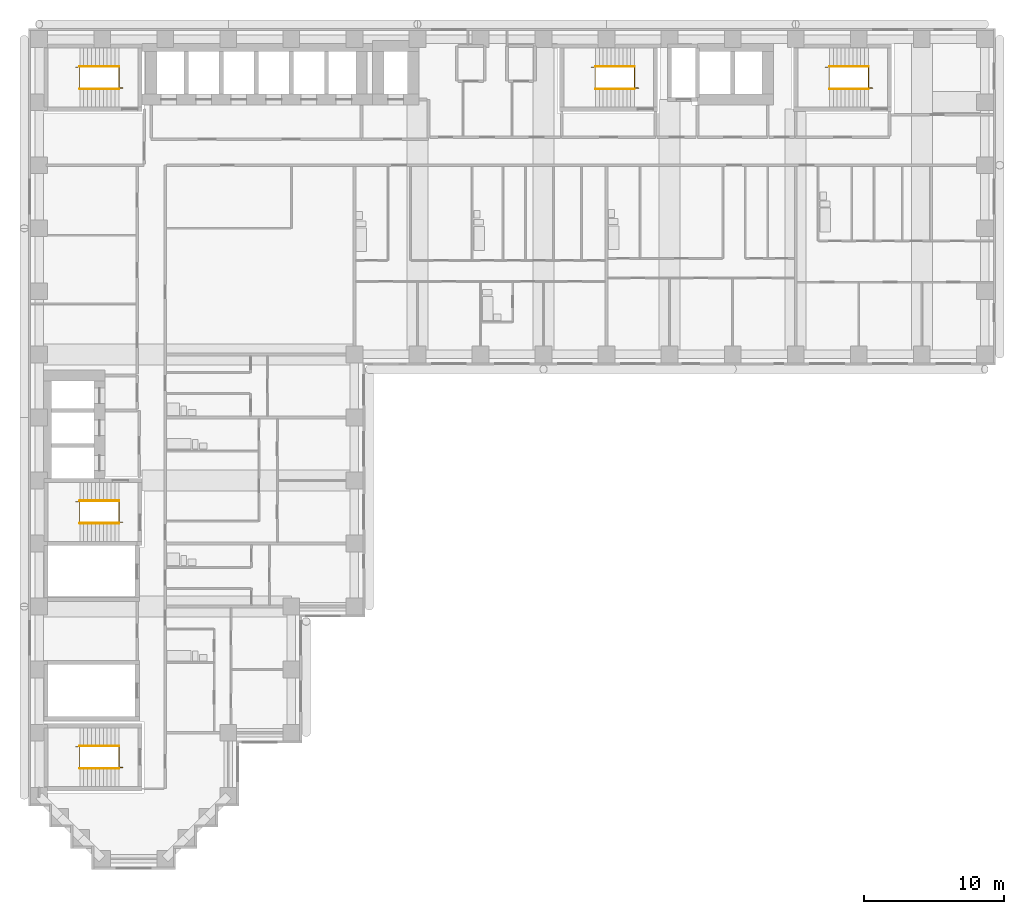
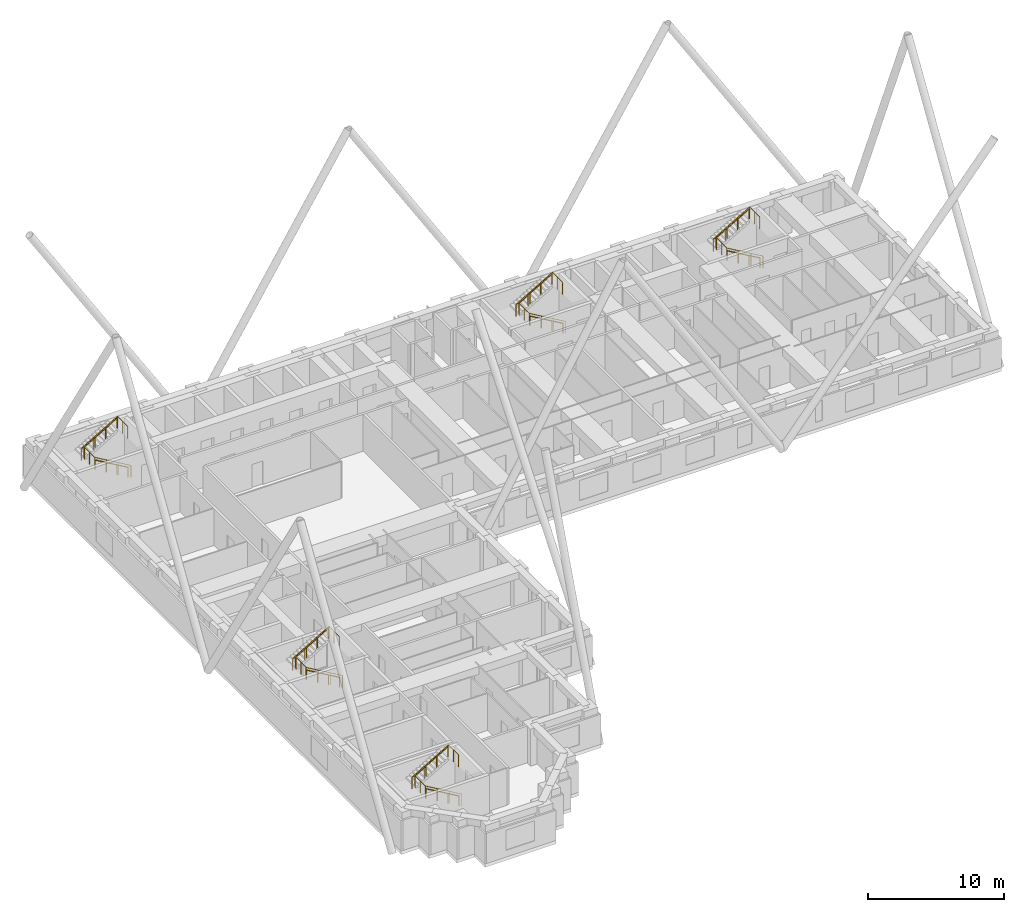
# One storey, part 12 of 13: 15 railings.
"""IFC4 building model written with IfcOpenShell, lengths in metres."""

from ifc_helpers import new_model, si_unit, direction, frame, origin, origin_2d, place, context, subcontext, project, spatial, circle, extrude, material, type_object, element, save


model = new_model("IFC4")

# Units and contexts
model_context = context("Model", 3, precision=1e-05, world=origin(), true_north=direction((0.0, 1.0)))
body_context = subcontext(model_context, "Body", "Model", "MODEL_VIEW")
ifc_project = project(units=[si_unit("LENGTHUNIT", "METRE"), si_unit("AREAUNIT", "SQUARE_METRE"), si_unit("VOLUMEUNIT", "CUBIC_METRE"), si_unit("PLANEANGLEUNIT", "RADIAN"), si_unit("MASSUNIT", "GRAM", prefix="KILO")], contexts=[model_context])

# Site, building, storey
site_placement = place(None, origin())
site = spatial("IfcSite", under=ifc_project, at=site_placement, CompositionType="ELEMENT")
building_placement = place(site_placement, origin())
building = spatial("IfcBuilding", under=site, at=building_placement, Name="Firuza Court", CompositionType="ELEMENT")
storey_placement = place(building_placement, frame((0.0, 0.0, 50.60009765625)))
storey = spatial("IfcBuildingStorey", under=building, at=storey_placement, Name="L11", CompositionType="ELEMENT", Elevation=50.60009765625)

# Railings
ifc_material_1 = material(Name="Steel S355", Category="steel")
railing_type_1 = type_object("IfcRailingType", Name="Handrail 900", PredefinedType="HANDRAIL", material=ifc_material_1)
railing_1_placement = place(storey_placement, frame((42.5, 54.949951171875, 0.16357421875)))
element("IfcRailing", 1, at=railing_1_placement, inside=storey, type_object=railing_type_1, Name="Handrail S1 flight 1", PredefinedType="HANDRAIL", context=body_context, shape_type="SweptSolid", body=[
    extrude(circle(Radius=0.02490234375, at=origin_2d()), frame((0.0, 0.0, 0.875), z_axis=(-0.863393664356, 0.0, 0.504530851732), x_axis=(0.0, -1.0, 0.0)), (0.0, 0.0, 1.0), 3.2431640625),
    extrude(circle(Radius=0.02001953125, at=origin_2d()), origin(), (0.0, 0.0, 1.0), 0.849853515625),
    extrude(circle(Radius=0.02001953125, at=origin_2d()), frame((-0.933349609375, 0.0, 0.54541015625)), (0.0, 0.0, 1.0), 0.849853515625),
    extrude(circle(Radius=0.02001953125, at=origin_2d()), frame((-1.86669921875, 0.0, 1.0908203125)), (0.0, 0.0, 1.0), 0.849853515625),
    extrude(circle(Radius=0.02001953125, at=origin_2d()), frame((-2.800048828125, 0.0, 1.63623046875)), (0.0, 0.0, 1.0), 0.849853515625),
])
railing_2_placement = place(storey_placement, frame((39.699951171875, 56.550048828125, 1.963623046875)))
element("IfcRailing", 2, at=railing_2_placement, inside=storey, type_object=railing_type_1, Name="Handrail S1 flight 2", PredefinedType="HANDRAIL", context=body_context, shape_type="SweptSolid", body=[
    extrude(circle(Radius=0.02490234375, at=origin_2d()), frame((0.0, 0.0, 0.875), z_axis=(0.863393664356, 0.0, 0.504530851732), x_axis=(0.0, 1.0, 0.0)), (0.0, 0.0, 1.0), 3.2431640625),
    extrude(circle(Radius=0.02001953125, at=origin_2d()), origin(), (0.0, 0.0, 1.0), 0.849853515625),
    extrude(circle(Radius=0.02001953125, at=origin_2d()), frame((0.933349609375, 0.0, 0.54541015625)), (0.0, 0.0, 1.0), 0.849853515625),
    extrude(circle(Radius=0.02001953125, at=origin_2d()), frame((1.86669921875, 0.0, 1.0908203125)), (0.0, 0.0, 1.0), 0.849853515625),
    extrude(circle(Radius=0.02001953125, at=origin_2d()), frame((2.800048828125, 0.0, 1.63623046875)), (0.0, 0.0, 1.0), 0.849853515625),
])
railing_3_placement = place(storey_placement, frame((5.699951171875, 23.949951171875, 0.16357421875)))
element("IfcRailing", 3, at=railing_3_placement, inside=storey, type_object=railing_type_1, Name="Handrail S2 flight 1", PredefinedType="HANDRAIL", context=body_context, shape_type="SweptSolid", body=[
    extrude(circle(Radius=0.02490234375, at=origin_2d()), frame((0.0, 0.0, 0.875), z_axis=(-0.863393664356, 0.0, 0.504530851732), x_axis=(0.0, -1.0, 0.0)), (0.0, 0.0, 1.0), 3.2431640625),
    extrude(circle(Radius=0.02001953125, at=origin_2d()), origin(), (0.0, 0.0, 1.0), 0.849853515625),
    extrude(circle(Radius=0.02001953125, at=origin_2d()), frame((-0.933349609375, 0.0, 0.54541015625)), (0.0, 0.0, 1.0), 0.849853515625),
    extrude(circle(Radius=0.02001953125, at=origin_2d()), frame((-1.86669921875, 0.0, 1.0908203125)), (0.0, 0.0, 1.0), 0.849853515625),
    extrude(circle(Radius=0.02001953125, at=origin_2d()), frame((-2.800048828125, 0.0, 1.63623046875)), (0.0, 0.0, 1.0), 0.849853515625),
])
railing_4_placement = place(storey_placement, frame((2.89990234375, 25.550048828125, 1.963623046875)))
element("IfcRailing", 4, at=railing_4_placement, inside=storey, type_object=railing_type_1, Name="Handrail S2 flight 2", PredefinedType="HANDRAIL", context=body_context, shape_type="SweptSolid", body=[
    extrude(circle(Radius=0.02490234375, at=origin_2d()), frame((0.0, 0.0, 0.875), z_axis=(0.863393664356, 0.0, 0.504530851732), x_axis=(0.0, 1.0, 0.0)), (0.0, 0.0, 1.0), 3.2431640625),
    extrude(circle(Radius=0.02001953125, at=origin_2d()), origin(), (0.0, 0.0, 1.0), 0.849853515625),
    extrude(circle(Radius=0.02001953125, at=origin_2d()), frame((0.933349609375, 0.0, 0.54541015625)), (0.0, 0.0, 1.0), 0.849853515625),
    extrude(circle(Radius=0.02001953125, at=origin_2d()), frame((1.86669921875, 0.0, 1.0908203125)), (0.0, 0.0, 1.0), 0.849853515625),
    extrude(circle(Radius=0.02001953125, at=origin_2d()), frame((2.800048828125, 0.0, 1.63623046875)), (0.0, 0.0, 1.0), 0.849853515625),
])
railing_5_placement = place(storey_placement, frame((5.699951171875, 54.949951171875, 0.16357421875)))
element("IfcRailing", 5, at=railing_5_placement, inside=storey, type_object=railing_type_1, Name="Handrail S3 flight 1", PredefinedType="HANDRAIL", context=body_context, shape_type="SweptSolid", body=[
    extrude(circle(Radius=0.02490234375, at=origin_2d()), frame((0.0, 0.0, 0.875), z_axis=(-0.863393664356, 0.0, 0.504530851732), x_axis=(0.0, -1.0, 0.0)), (0.0, 0.0, 1.0), 3.2431640625),
    extrude(circle(Radius=0.02001953125, at=origin_2d()), origin(), (0.0, 0.0, 1.0), 0.849853515625),
    extrude(circle(Radius=0.02001953125, at=origin_2d()), frame((-0.933349609375, 0.0, 0.54541015625)), (0.0, 0.0, 1.0), 0.849853515625),
    extrude(circle(Radius=0.02001953125, at=origin_2d()), frame((-1.86669921875, 0.0, 1.0908203125)), (0.0, 0.0, 1.0), 0.849853515625),
    extrude(circle(Radius=0.02001953125, at=origin_2d()), frame((-2.800048828125, 0.0, 1.63623046875)), (0.0, 0.0, 1.0), 0.849853515625),
])
railing_6_placement = place(storey_placement, frame((2.89990234375, 56.550048828125, 1.963623046875)))
element("IfcRailing", 6, at=railing_6_placement, inside=storey, type_object=railing_type_1, Name="Handrail S3 flight 2", PredefinedType="HANDRAIL", context=body_context, shape_type="SweptSolid", body=[
    extrude(circle(Radius=0.02490234375, at=origin_2d()), frame((0.0, 0.0, 0.875), z_axis=(0.863393664356, 0.0, 0.504530851732), x_axis=(0.0, 1.0, 0.0)), (0.0, 0.0, 1.0), 3.2431640625),
    extrude(circle(Radius=0.02001953125, at=origin_2d()), origin(), (0.0, 0.0, 1.0), 0.849853515625),
    extrude(circle(Radius=0.02001953125, at=origin_2d()), frame((0.933349609375, 0.0, 0.54541015625)), (0.0, 0.0, 1.0), 0.849853515625),
    extrude(circle(Radius=0.02001953125, at=origin_2d()), frame((1.86669921875, 0.0, 1.0908203125)), (0.0, 0.0, 1.0), 0.849853515625),
    extrude(circle(Radius=0.02001953125, at=origin_2d()), frame((2.800048828125, 0.0, 1.63623046875)), (0.0, 0.0, 1.0), 0.849853515625),
])
railing_7_placement = place(storey_placement, frame((59.199951171875, 54.949951171875, 0.16357421875)))
element("IfcRailing", 7, at=railing_7_placement, inside=storey, type_object=railing_type_1, Name="Handrail S4 flight 1", PredefinedType="HANDRAIL", context=body_context, shape_type="SweptSolid", body=[
    extrude(circle(Radius=0.02490234375, at=origin_2d()), frame((0.0, 0.0, 0.875), z_axis=(-0.863393664356, 0.0, 0.504530851732), x_axis=(0.0, -1.0, 0.0)), (0.0, 0.0, 1.0), 3.2431640625),
    extrude(circle(Radius=0.02001953125, at=origin_2d()), origin(), (0.0, 0.0, 1.0), 0.849853515625),
    extrude(circle(Radius=0.02001953125, at=origin_2d()), frame((-0.933349609375, 0.0, 0.54541015625)), (0.0, 0.0, 1.0), 0.849853515625),
    extrude(circle(Radius=0.02001953125, at=origin_2d()), frame((-1.86669921875, 0.0, 1.0908203125)), (0.0, 0.0, 1.0), 0.849853515625),
    extrude(circle(Radius=0.02001953125, at=origin_2d()), frame((-2.800048828125, 0.0, 1.63623046875)), (0.0, 0.0, 1.0), 0.849853515625),
])
railing_8_placement = place(storey_placement, frame((56.39990234375, 56.550048828125, 1.963623046875)))
element("IfcRailing", 8, at=railing_8_placement, inside=storey, type_object=railing_type_1, Name="Handrail S4 flight 2", PredefinedType="HANDRAIL", context=body_context, shape_type="SweptSolid", body=[
    extrude(circle(Radius=0.02490234375, at=origin_2d()), frame((0.0, 0.0, 0.875), z_axis=(0.863393664356, 0.0, 0.504530851732), x_axis=(0.0, 1.0, 0.0)), (0.0, 0.0, 1.0), 3.2431640625),
    extrude(circle(Radius=0.02001953125, at=origin_2d()), origin(), (0.0, 0.0, 1.0), 0.849853515625),
    extrude(circle(Radius=0.02001953125, at=origin_2d()), frame((0.933349609375, 0.0, 0.54541015625)), (0.0, 0.0, 1.0), 0.849853515625),
    extrude(circle(Radius=0.02001953125, at=origin_2d()), frame((1.86669921875, 0.0, 1.0908203125)), (0.0, 0.0, 1.0), 0.849853515625),
    extrude(circle(Radius=0.02001953125, at=origin_2d()), frame((2.800048828125, 0.0, 1.63623046875)), (0.0, 0.0, 1.0), 0.849853515625),
])
railing_9_placement = place(storey_placement, frame((5.699951171875, 6.449951171875, 0.16357421875)))
element("IfcRailing", 9, at=railing_9_placement, inside=storey, type_object=railing_type_1, Name="Handrail S5 flight 1", PredefinedType="HANDRAIL", context=body_context, shape_type="SweptSolid", body=[
    extrude(circle(Radius=0.02490234375, at=origin_2d()), frame((0.0, 0.0, 0.875), z_axis=(-0.863393664356, 0.0, 0.504530851732), x_axis=(0.0, -1.0, 0.0)), (0.0, 0.0, 1.0), 3.2431640625),
    extrude(circle(Radius=0.02001953125, at=origin_2d()), origin(), (0.0, 0.0, 1.0), 0.849853515625),
    extrude(circle(Radius=0.02001953125, at=origin_2d()), frame((-0.933349609375, 0.0, 0.54541015625)), (0.0, 0.0, 1.0), 0.849853515625),
    extrude(circle(Radius=0.02001953125, at=origin_2d()), frame((-1.86669921875, 0.0, 1.0908203125)), (0.0, 0.0, 1.0), 0.849853515625),
    extrude(circle(Radius=0.02001953125, at=origin_2d()), frame((-2.800048828125, 0.0, 1.63623046875)), (0.0, 0.0, 1.0), 0.849853515625),
])
railing_10_placement = place(storey_placement, frame((2.89990234375, 8.050048828125, 1.963623046875)))
element("IfcRailing", 10, at=railing_10_placement, inside=storey, type_object=railing_type_1, Name="Handrail S5 flight 2", PredefinedType="HANDRAIL", context=body_context, shape_type="SweptSolid", body=[
    extrude(circle(Radius=0.02490234375, at=origin_2d()), frame((0.0, 0.0, 0.875), z_axis=(0.863393664356, 0.0, 0.504530851732), x_axis=(0.0, 1.0, 0.0)), (0.0, 0.0, 1.0), 3.2431640625),
    extrude(circle(Radius=0.02001953125, at=origin_2d()), origin(), (0.0, 0.0, 1.0), 0.849853515625),
    extrude(circle(Radius=0.02001953125, at=origin_2d()), frame((0.933349609375, 0.0, 0.54541015625)), (0.0, 0.0, 1.0), 0.849853515625),
    extrude(circle(Radius=0.02001953125, at=origin_2d()), frame((1.86669921875, 0.0, 1.0908203125)), (0.0, 0.0, 1.0), 0.849853515625),
    extrude(circle(Radius=0.02001953125, at=origin_2d()), frame((2.800048828125, 0.0, 1.63623046875)), (0.0, 0.0, 1.0), 0.849853515625),
])
ifc_material_2 = material(Name="Steel S355", Category="steel")
railing_type_2 = type_object("IfcRailingType", Name="Stair guard 1100", PredefinedType="GUARDRAIL", material=ifc_material_2)
railing_11_placement = place(storey_placement, frame((42.780029296875, 55.010009765625, 0.0)))
element("IfcRailing", 11, at=railing_11_placement, inside=storey, type_object=railing_type_2, Name="Stair well guard S1", PredefinedType="GUARDRAIL", context=body_context, shape_type="SweptSolid", body=[
    extrude(circle(Radius=0.02490234375, at=origin_2d()), frame((0.0, 0.0, 1.0751953125), z_axis=(-0.863401368682, 0.0, 0.504517667242), x_axis=(0.0, -1.0, 0.0)), (0.0, 0.0, 1.0), 3.5673828125),
    extrude(circle(Radius=0.02490234375, at=origin_2d()), frame((-3.080078125, 0.0, 2.875), z_axis=(0.0, 1.0, 0.0), x_axis=(-1.0, 0.0, 0.0)), (0.0, 0.0, 1.0), 1.47998046875),
    extrude(circle(Radius=0.02490234375, at=origin_2d()), frame((-3.080078125, 1.47998046875, 2.875), z_axis=(-1.0, 0.0, 0.0), x_axis=(0.0, -1.0, 0.0)), (0.0, 0.0, 1.0), 0.280029296875),
    extrude(circle(Radius=0.02490234375, at=origin_2d()), frame((-3.360107421875, 1.47998046875, 2.875), z_axis=(0.863371556955, 0.0, 0.504568681787), x_axis=(0.0, 1.0, 0.0)), (0.0, 0.0, 1.0), 3.5673828125),
    extrude(circle(Radius=0.02490234375, at=origin_2d()), frame((-0.280029296875, 1.47998046875, 4.6748046875), z_axis=(0.0, -1.0, 0.0), x_axis=(1.0, 0.0, 0.0)), (0.0, 0.0, 1.0), 1.47998046875),
    extrude(circle(Radius=0.02490234375, at=origin_2d()), origin(), (0.0, 0.0, 1.0), 1.050048828125),
    extrude(circle(Radius=0.02490234375, at=origin_2d()), frame((-1.026611328125, 0.0, 0.599853515625)), (0.0, 0.0, 1.0), 1.050048828125),
    extrude(circle(Radius=0.02490234375, at=origin_2d()), frame((-2.053466796875, 0.0, 1.199951171875)), (0.0, 0.0, 1.0), 1.050048828125),
    extrude(circle(Radius=0.02490234375, at=origin_2d()), frame((-3.080078125, 0.0, 1.7998046875)), (0.0, 0.0, 1.0), 1.050048828125),
    extrude(circle(Radius=0.02490234375, at=origin_2d()), frame((-3.080078125, 0.739990234375, 1.7998046875)), (0.0, 0.0, 1.0), 1.050048828125),
    extrude(circle(Radius=0.02490234375, at=origin_2d()), frame((-3.080078125, 1.47998046875, 1.7998046875)), (0.0, 0.0, 1.0), 1.050048828125),
    extrude(circle(Radius=0.02490234375, at=origin_2d()), frame((-3.360107421875, 1.47998046875, 1.7998046875)), (0.0, 0.0, 1.0), 1.050048828125),
    extrude(circle(Radius=0.02490234375, at=origin_2d()), frame((-2.33349609375, 1.47998046875, 2.39990234375)), (0.0, 0.0, 1.0), 1.050048828125),
    extrude(circle(Radius=0.02490234375, at=origin_2d()), frame((-1.306640625, 1.47998046875, 2.999755859375)), (0.0, 0.0, 1.0), 1.050048828125),
    extrude(circle(Radius=0.02490234375, at=origin_2d()), frame((-0.280029296875, 1.47998046875, 3.599853515625)), (0.0, 0.0, 1.0), 1.050048828125),
    extrude(circle(Radius=0.02490234375, at=origin_2d()), frame((-0.280029296875, 0.739990234375, 3.599853515625)), (0.0, 0.0, 1.0), 1.050048828125),
    extrude(circle(Radius=0.02490234375, at=origin_2d()), frame((-0.280029296875, 0.0, 3.599853515625)), (0.0, 0.0, 1.0), 1.050048828125),
])
railing_12_placement = place(storey_placement, frame((5.97998046875, 24.010009765625, 0.0)))
element("IfcRailing", 12, at=railing_12_placement, inside=storey, type_object=railing_type_2, Name="Stair well guard S2", PredefinedType="GUARDRAIL", context=body_context, shape_type="SweptSolid", body=[
    extrude(circle(Radius=0.02490234375, at=origin_2d()), frame((0.0, 0.0, 1.0751953125), z_axis=(-0.863401368682, 0.0, 0.504517667242), x_axis=(0.0, -1.0, 0.0)), (0.0, 0.0, 1.0), 3.5673828125),
    extrude(circle(Radius=0.02490234375, at=origin_2d()), frame((-3.080078125, 0.0, 2.875), z_axis=(0.0, 1.0, 0.0), x_axis=(-1.0, 0.0, 0.0)), (0.0, 0.0, 1.0), 1.47998046875),
    extrude(circle(Radius=0.02490234375, at=origin_2d()), frame((-3.080078125, 1.47998046875, 2.875), z_axis=(-1.0, 0.0, 0.0), x_axis=(0.0, -1.0, 0.0)), (0.0, 0.0, 1.0), 0.27978515625),
    extrude(circle(Radius=0.02490234375, at=origin_2d()), frame((-3.35986328125, 1.47998046875, 2.875), z_axis=(0.863354132664, 0.0, 0.504598495452), x_axis=(0.0, 1.0, 0.0)), (0.0, 0.0, 1.0), 3.5673828125),
    extrude(circle(Radius=0.02490234375, at=origin_2d()), frame((-0.280029296875, 1.47998046875, 4.6748046875), z_axis=(0.0, -1.0, 0.0), x_axis=(1.0, 0.0, 0.0)), (0.0, 0.0, 1.0), 1.47998046875),
    extrude(circle(Radius=0.02490234375, at=origin_2d()), origin(), (0.0, 0.0, 1.0), 1.050048828125),
    extrude(circle(Radius=0.02490234375, at=origin_2d()), frame((-1.026611328125, 0.0, 0.599853515625)), (0.0, 0.0, 1.0), 1.050048828125),
    extrude(circle(Radius=0.02490234375, at=origin_2d()), frame((-2.053466796875, 0.0, 1.199951171875)), (0.0, 0.0, 1.0), 1.050048828125),
    extrude(circle(Radius=0.02490234375, at=origin_2d()), frame((-3.080078125, 0.0, 1.7998046875)), (0.0, 0.0, 1.0), 1.050048828125),
    extrude(circle(Radius=0.02490234375, at=origin_2d()), frame((-3.080078125, 0.739990234375, 1.7998046875)), (0.0, 0.0, 1.0), 1.050048828125),
    extrude(circle(Radius=0.02490234375, at=origin_2d()), frame((-3.080078125, 1.47998046875, 1.7998046875)), (0.0, 0.0, 1.0), 1.050048828125),
    extrude(circle(Radius=0.02490234375, at=origin_2d()), frame((-3.35986328125, 1.47998046875, 1.7998046875)), (0.0, 0.0, 1.0), 1.050048828125),
    extrude(circle(Radius=0.02490234375, at=origin_2d()), frame((-2.333251953125, 1.47998046875, 2.39990234375)), (0.0, 0.0, 1.0), 1.050048828125),
    extrude(circle(Radius=0.02490234375, at=origin_2d()), frame((-1.306640625, 1.47998046875, 2.999755859375)), (0.0, 0.0, 1.0), 1.050048828125),
    extrude(circle(Radius=0.02490234375, at=origin_2d()), frame((-0.280029296875, 1.47998046875, 3.599853515625)), (0.0, 0.0, 1.0), 1.050048828125),
    extrude(circle(Radius=0.02490234375, at=origin_2d()), frame((-0.280029296875, 0.739990234375, 3.599853515625)), (0.0, 0.0, 1.0), 1.050048828125),
    extrude(circle(Radius=0.02490234375, at=origin_2d()), frame((-0.280029296875, 0.0, 3.599853515625)), (0.0, 0.0, 1.0), 1.050048828125),
])
railing_13_placement = place(storey_placement, frame((5.97998046875, 55.010009765625, 0.0)))
element("IfcRailing", 13, at=railing_13_placement, inside=storey, type_object=railing_type_2, Name="Stair well guard S3", PredefinedType="GUARDRAIL", context=body_context, shape_type="SweptSolid", body=[
    extrude(circle(Radius=0.02490234375, at=origin_2d()), frame((0.0, 0.0, 1.0751953125), z_axis=(-0.863401368682, 0.0, 0.504517667242), x_axis=(0.0, -1.0, 0.0)), (0.0, 0.0, 1.0), 3.5673828125),
    extrude(circle(Radius=0.02490234375, at=origin_2d()), frame((-3.080078125, 0.0, 2.875), z_axis=(0.0, 1.0, 0.0), x_axis=(-1.0, 0.0, 0.0)), (0.0, 0.0, 1.0), 1.47998046875),
    extrude(circle(Radius=0.02490234375, at=origin_2d()), frame((-3.080078125, 1.47998046875, 2.875), z_axis=(-1.0, 0.0, 0.0), x_axis=(0.0, -1.0, 0.0)), (0.0, 0.0, 1.0), 0.27978515625),
    extrude(circle(Radius=0.02490234375, at=origin_2d()), frame((-3.35986328125, 1.47998046875, 2.875), z_axis=(0.863354132664, 0.0, 0.504598495452), x_axis=(0.0, 1.0, 0.0)), (0.0, 0.0, 1.0), 3.5673828125),
    extrude(circle(Radius=0.02490234375, at=origin_2d()), frame((-0.280029296875, 1.47998046875, 4.6748046875), z_axis=(0.0, -1.0, 0.0), x_axis=(1.0, 0.0, 0.0)), (0.0, 0.0, 1.0), 1.47998046875),
    extrude(circle(Radius=0.02490234375, at=origin_2d()), origin(), (0.0, 0.0, 1.0), 1.050048828125),
    extrude(circle(Radius=0.02490234375, at=origin_2d()), frame((-1.026611328125, 0.0, 0.599853515625)), (0.0, 0.0, 1.0), 1.050048828125),
    extrude(circle(Radius=0.02490234375, at=origin_2d()), frame((-2.053466796875, 0.0, 1.199951171875)), (0.0, 0.0, 1.0), 1.050048828125),
    extrude(circle(Radius=0.02490234375, at=origin_2d()), frame((-3.080078125, 0.0, 1.7998046875)), (0.0, 0.0, 1.0), 1.050048828125),
    extrude(circle(Radius=0.02490234375, at=origin_2d()), frame((-3.080078125, 0.739990234375, 1.7998046875)), (0.0, 0.0, 1.0), 1.050048828125),
    extrude(circle(Radius=0.02490234375, at=origin_2d()), frame((-3.080078125, 1.47998046875, 1.7998046875)), (0.0, 0.0, 1.0), 1.050048828125),
    extrude(circle(Radius=0.02490234375, at=origin_2d()), frame((-3.35986328125, 1.47998046875, 1.7998046875)), (0.0, 0.0, 1.0), 1.050048828125),
    extrude(circle(Radius=0.02490234375, at=origin_2d()), frame((-2.333251953125, 1.47998046875, 2.39990234375)), (0.0, 0.0, 1.0), 1.050048828125),
    extrude(circle(Radius=0.02490234375, at=origin_2d()), frame((-1.306640625, 1.47998046875, 2.999755859375)), (0.0, 0.0, 1.0), 1.050048828125),
    extrude(circle(Radius=0.02490234375, at=origin_2d()), frame((-0.280029296875, 1.47998046875, 3.599853515625)), (0.0, 0.0, 1.0), 1.050048828125),
    extrude(circle(Radius=0.02490234375, at=origin_2d()), frame((-0.280029296875, 0.739990234375, 3.599853515625)), (0.0, 0.0, 1.0), 1.050048828125),
    extrude(circle(Radius=0.02490234375, at=origin_2d()), frame((-0.280029296875, 0.0, 3.599853515625)), (0.0, 0.0, 1.0), 1.050048828125),
])
railing_14_placement = place(storey_placement, frame((59.47998046875, 55.010009765625, 0.0)))
element("IfcRailing", 14, at=railing_14_placement, inside=storey, type_object=railing_type_2, Name="Stair well guard S4", PredefinedType="GUARDRAIL", context=body_context, shape_type="SweptSolid", body=[
    extrude(circle(Radius=0.02490234375, at=origin_2d()), frame((0.0, 0.0, 1.0751953125), z_axis=(-0.863401368682, 0.0, 0.504517667242), x_axis=(0.0, -1.0, 0.0)), (0.0, 0.0, 1.0), 3.5673828125),
    extrude(circle(Radius=0.02490234375, at=origin_2d()), frame((-3.080078125, 0.0, 2.875), z_axis=(0.0, 1.0, 0.0), x_axis=(-1.0, 0.0, 0.0)), (0.0, 0.0, 1.0), 1.47998046875),
    extrude(circle(Radius=0.02490234375, at=origin_2d()), frame((-3.080078125, 1.47998046875, 2.875), z_axis=(-1.0, 0.0, 0.0), x_axis=(0.0, -1.0, 0.0)), (0.0, 0.0, 1.0), 0.27978515625),
    extrude(circle(Radius=0.02490234375, at=origin_2d()), frame((-3.35986328125, 1.47998046875, 2.875), z_axis=(0.863354132664, 0.0, 0.504598495452), x_axis=(0.0, 1.0, 0.0)), (0.0, 0.0, 1.0), 3.5673828125),
    extrude(circle(Radius=0.02490234375, at=origin_2d()), frame((-0.280029296875, 1.47998046875, 4.6748046875), z_axis=(0.0, -1.0, 0.0), x_axis=(1.0, 0.0, 0.0)), (0.0, 0.0, 1.0), 1.47998046875),
    extrude(circle(Radius=0.02490234375, at=origin_2d()), origin(), (0.0, 0.0, 1.0), 1.050048828125),
    extrude(circle(Radius=0.02490234375, at=origin_2d()), frame((-1.026611328125, 0.0, 0.599853515625)), (0.0, 0.0, 1.0), 1.050048828125),
    extrude(circle(Radius=0.02490234375, at=origin_2d()), frame((-2.053466796875, 0.0, 1.199951171875)), (0.0, 0.0, 1.0), 1.050048828125),
    extrude(circle(Radius=0.02490234375, at=origin_2d()), frame((-3.080078125, 0.0, 1.7998046875)), (0.0, 0.0, 1.0), 1.050048828125),
    extrude(circle(Radius=0.02490234375, at=origin_2d()), frame((-3.080078125, 0.739990234375, 1.7998046875)), (0.0, 0.0, 1.0), 1.050048828125),
    extrude(circle(Radius=0.02490234375, at=origin_2d()), frame((-3.080078125, 1.47998046875, 1.7998046875)), (0.0, 0.0, 1.0), 1.050048828125),
    extrude(circle(Radius=0.02490234375, at=origin_2d()), frame((-3.35986328125, 1.47998046875, 1.7998046875)), (0.0, 0.0, 1.0), 1.050048828125),
    extrude(circle(Radius=0.02490234375, at=origin_2d()), frame((-2.333251953125, 1.47998046875, 2.39990234375)), (0.0, 0.0, 1.0), 1.050048828125),
    extrude(circle(Radius=0.02490234375, at=origin_2d()), frame((-1.306640625, 1.47998046875, 2.999755859375)), (0.0, 0.0, 1.0), 1.050048828125),
    extrude(circle(Radius=0.02490234375, at=origin_2d()), frame((-0.280029296875, 1.47998046875, 3.599853515625)), (0.0, 0.0, 1.0), 1.050048828125),
    extrude(circle(Radius=0.02490234375, at=origin_2d()), frame((-0.280029296875, 0.739990234375, 3.599853515625)), (0.0, 0.0, 1.0), 1.050048828125),
    extrude(circle(Radius=0.02490234375, at=origin_2d()), frame((-0.280029296875, 0.0, 3.599853515625)), (0.0, 0.0, 1.0), 1.050048828125),
])
railing_15_placement = place(storey_placement, frame((5.97998046875, 6.510009765625, 0.0)))
element("IfcRailing", 15, at=railing_15_placement, inside=storey, type_object=railing_type_2, Name="Stair well guard S5", PredefinedType="GUARDRAIL", context=body_context, shape_type="SweptSolid", body=[
    extrude(circle(Radius=0.02490234375, at=origin_2d()), frame((0.0, 0.0, 1.0751953125), z_axis=(-0.863401368682, 0.0, 0.504517667242), x_axis=(0.0, -1.0, 0.0)), (0.0, 0.0, 1.0), 3.5673828125),
    extrude(circle(Radius=0.02490234375, at=origin_2d()), frame((-3.080078125, 0.0, 2.875), z_axis=(0.0, 1.0, 0.0), x_axis=(-1.0, 0.0, 0.0)), (0.0, 0.0, 1.0), 1.47998046875),
    extrude(circle(Radius=0.02490234375, at=origin_2d()), frame((-3.080078125, 1.47998046875, 2.875), z_axis=(-1.0, 0.0, 0.0), x_axis=(0.0, -1.0, 0.0)), (0.0, 0.0, 1.0), 0.27978515625),
    extrude(circle(Radius=0.02490234375, at=origin_2d()), frame((-3.35986328125, 1.47998046875, 2.875), z_axis=(0.863354132664, 0.0, 0.504598495452), x_axis=(0.0, 1.0, 0.0)), (0.0, 0.0, 1.0), 3.5673828125),
    extrude(circle(Radius=0.02490234375, at=origin_2d()), frame((-0.280029296875, 1.47998046875, 4.6748046875), z_axis=(0.0, -1.0, 0.0), x_axis=(1.0, 0.0, 0.0)), (0.0, 0.0, 1.0), 1.47998046875),
    extrude(circle(Radius=0.02490234375, at=origin_2d()), origin(), (0.0, 0.0, 1.0), 1.050048828125),
    extrude(circle(Radius=0.02490234375, at=origin_2d()), frame((-1.026611328125, 0.0, 0.599853515625)), (0.0, 0.0, 1.0), 1.050048828125),
    extrude(circle(Radius=0.02490234375, at=origin_2d()), frame((-2.053466796875, 0.0, 1.199951171875)), (0.0, 0.0, 1.0), 1.050048828125),
    extrude(circle(Radius=0.02490234375, at=origin_2d()), frame((-3.080078125, 0.0, 1.7998046875)), (0.0, 0.0, 1.0), 1.050048828125),
    extrude(circle(Radius=0.02490234375, at=origin_2d()), frame((-3.080078125, 0.739990234375, 1.7998046875)), (0.0, 0.0, 1.0), 1.050048828125),
    extrude(circle(Radius=0.02490234375, at=origin_2d()), frame((-3.080078125, 1.47998046875, 1.7998046875)), (0.0, 0.0, 1.0), 1.050048828125),
    extrude(circle(Radius=0.02490234375, at=origin_2d()), frame((-3.35986328125, 1.47998046875, 1.7998046875)), (0.0, 0.0, 1.0), 1.050048828125),
    extrude(circle(Radius=0.02490234375, at=origin_2d()), frame((-2.333251953125, 1.47998046875, 2.39990234375)), (0.0, 0.0, 1.0), 1.050048828125),
    extrude(circle(Radius=0.02490234375, at=origin_2d()), frame((-1.306640625, 1.47998046875, 2.999755859375)), (0.0, 0.0, 1.0), 1.050048828125),
    extrude(circle(Radius=0.02490234375, at=origin_2d()), frame((-0.280029296875, 1.47998046875, 3.599853515625)), (0.0, 0.0, 1.0), 1.050048828125),
    extrude(circle(Radius=0.02490234375, at=origin_2d()), frame((-0.280029296875, 0.739990234375, 3.599853515625)), (0.0, 0.0, 1.0), 1.050048828125),
    extrude(circle(Radius=0.02490234375, at=origin_2d()), frame((-0.280029296875, 0.0, 3.599853515625)), (0.0, 0.0, 1.0), 1.050048828125),
])

save(model, "model.ifc")
